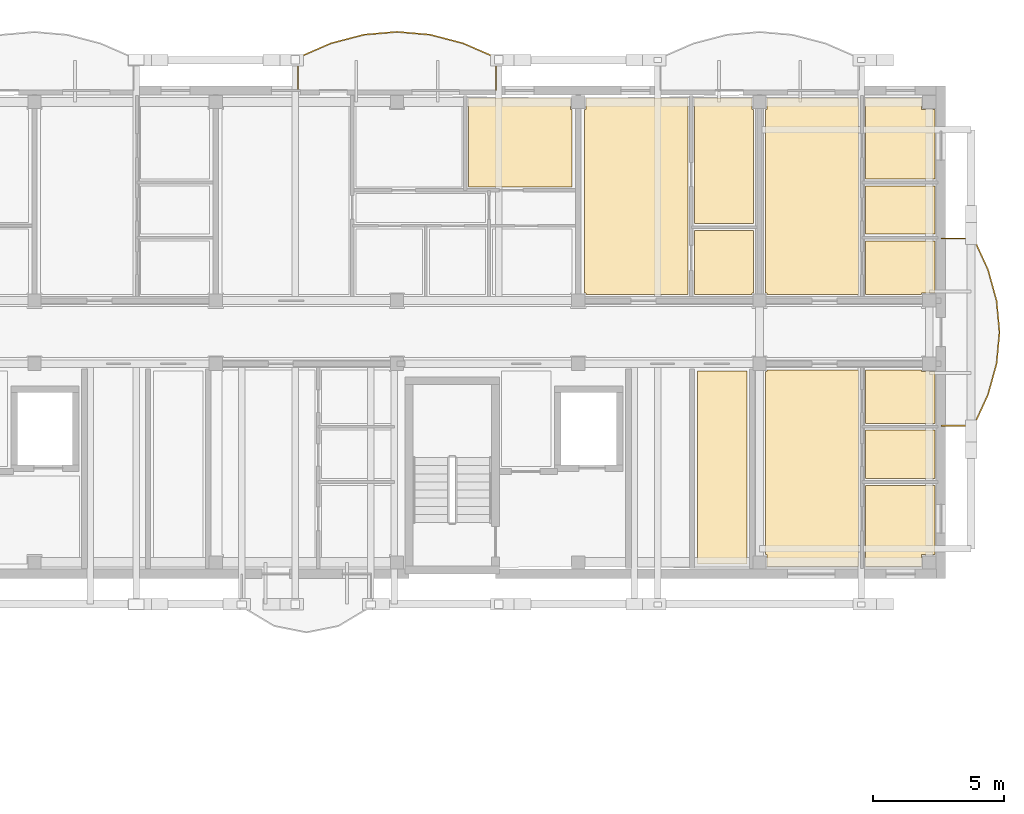
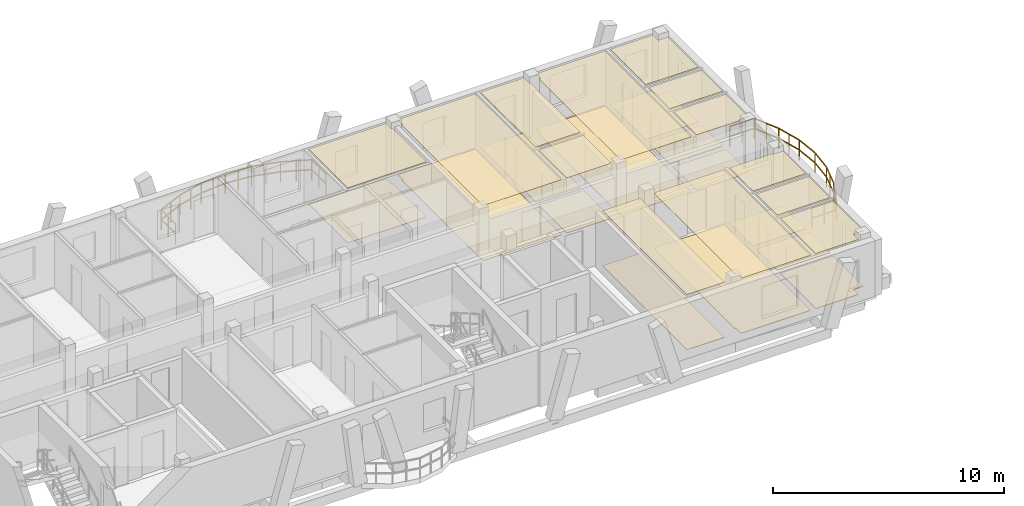
# One storey, part 108 of 109: 26 coverings, 2 railings.
"""IFC4 building model written with IfcOpenShell, lengths in metres."""

import ifcopenshell
import ifcopenshell.guid

model = None  # the IFC model being written
_history = None  # IfcOwnerHistory: only IFC2X3 demands one
_inside = {}  # id of a spatial element -> (the spatial element, [elements in it])
_under = {}  # id of a project, library or spatial element -> (it, [spatial elements below it])
_declared = {}  # id of a project -> (the project, [libraries it declares])
_typed = {}  # id of a type object -> (the type object, [elements of that type])
_made_of = {}  # id of a material, layer set ... -> (it, [elements and type objects made of it])


def new_model(schema):
    """Start an empty IFC model of exactly this schema.

    Asked for "IFC4X3", IfcOpenShell would pick the latest addendum, in which some entities
    have other attributes; the version numbers below select the first issue.
    IFC2X3 requires an IfcOwnerHistory on every rooted entity: one is made here for all.
    """
    global model, _history
    if schema == "IFC4X3":
        model = ifcopenshell.file(schema_version=(4, 3, 0, 0))
    else:
        model = ifcopenshell.file(schema=schema)
    _inside.clear()
    _under.clear()
    _declared.clear()
    _typed.clear()
    _made_of.clear()
    _history = None
    if model.schema == "IFC2X3":
        org = make("IfcOrganization", Name="unknown")
        user = make(
            "IfcPersonAndOrganization",
            ThePerson=make("IfcPerson", FamilyName="unknown"),
            TheOrganization=org,
        )
        app = make(
            "IfcApplication",
            ApplicationDeveloper=org,
            Version="unknown",
            ApplicationFullName="unknown",
            ApplicationIdentifier="unknown",
        )
        _history = make(
            "IfcOwnerHistory",
            OwningUser=user,
            OwningApplication=app,
            ChangeAction="ADDED",
            CreationDate=0,
        )
    return model


def make(cls, **values):
    """One entity of the class cls with the attributes given. An attribute that is None is left unset."""
    return model.create_entity(
        cls, **{name: value for name, value in values.items() if value is not None}
    )


def rooted(cls, **values):
    """An entity with a GlobalId (a new one), such as an element, a storey or a relation."""
    return make(cls, GlobalId=ifcopenshell.guid.new(), OwnerHistory=_history, **values)


def si_unit(unit_type, name, prefix=None):
    """IfcSIUnit, for example si_unit("LENGTHUNIT", "METRE", prefix="MILLI")."""
    return make("IfcSIUnit", UnitType=unit_type, Prefix=prefix, Name=name)


def assignment(units):
    """IfcUnitAssignment: the units of a project."""
    return None if units is None else make("IfcUnitAssignment", Units=units)


def point(xyz):
    """IfcCartesianPoint."""
    return None if xyz is None else make("IfcCartesianPoint", Coordinates=xyz)


def direction(xyz):
    """IfcDirection."""
    return None if xyz is None else make("IfcDirection", DirectionRatios=xyz)


def frame(location, z_axis=None, x_axis=None):
    """IfcAxis2Placement3D, a coordinate frame: its origin and axes. An axis left out is left unset."""
    return make(
        "IfcAxis2Placement3D",
        Location=point(location),
        Axis=direction(z_axis),
        RefDirection=direction(x_axis),
    )


def frame_2d(location, x_axis=None):
    """IfcAxis2Placement2D, a coordinate frame in the plane: its origin and x axis."""
    return make(
        "IfcAxis2Placement2D", Location=point(location), RefDirection=direction(x_axis)
    )


def origin():
    """The frame at (0, 0, 0) with its axes left unset."""
    return frame((0.0, 0.0, 0.0))


def origin_2d():
    """The frame at (0, 0) in the plane with its x axis left unset."""
    return frame_2d((0.0, 0.0))


def place(relative_to, where):
    """IfcLocalPlacement: puts the frame where relative to a parent placement (None: the world)."""
    return make(
        "IfcLocalPlacement", PlacementRelTo=relative_to, RelativePlacement=where
    )


def context(
    kind, dimensions, precision=None, world=None, true_north=None, identifier=None
):
    """IfcGeometricRepresentationContext, for example the 3D "Model" context."""
    return make(
        "IfcGeometricRepresentationContext",
        ContextIdentifier=identifier,
        ContextType=kind,
        CoordinateSpaceDimension=dimensions,
        Precision=precision,
        WorldCoordinateSystem=world,
        TrueNorth=true_north,
    )


def subcontext(parent, identifier, kind, view, scale=None):
    """IfcGeometricRepresentationSubContext, for example "Body" below "Model"."""
    return make(
        "IfcGeometricRepresentationSubContext",
        ContextIdentifier=identifier,
        ContextType=kind,
        ParentContext=parent,
        TargetScale=scale,
        TargetView=view,
    )


def project(units=None, contexts=None):
    """IfcProject with its units and contexts."""
    return rooted(
        "IfcProject",
        Name="project",
        RepresentationContexts=contexts,
        UnitsInContext=assignment(units),
    )


def spatial(cls, under=None, at=None, **own):
    """A site, building, storey or space (cls), placed at a placement, below another one or the project."""
    s = rooted(cls, ObjectPlacement=at, **own)
    if under is not None:
        _under.setdefault(under.id(), (under, []))[1].append(s)
    return s


def polyline(points):
    """IfcPolyline through the points."""
    return make("IfcPolyline", Points=[point(p) for p in points])


def profile(cls, at=None, kind="AREA", **sizes):
    """A parametric profile (cls). Its sizes go by their IFC names, for example OverallWidth=200.0."""
    return make(cls, ProfileType=kind, Position=at, **sizes)


def rectangle(**sizes):
    """IfcRectangleProfileDef."""
    return profile("IfcRectangleProfileDef", **sizes)


def outline(outer, holes=None, kind="AREA"):
    """IfcArbitraryClosedProfileDef: a profile drawn as a closed curve; with holes, ...WithVoids."""
    if holes is None:
        return make("IfcArbitraryClosedProfileDef", ProfileType=kind, OuterCurve=outer)
    return make(
        "IfcArbitraryProfileDefWithVoids",
        ProfileType=kind,
        OuterCurve=outer,
        InnerCurves=holes,
    )


def extrude(swept, where, along, depth):
    """IfcExtrudedAreaSolid: the profile swept, set in the frame where, extruded along a direction by depth."""
    return make(
        "IfcExtrudedAreaSolid",
        SweptArea=swept,
        Position=where,
        ExtrudedDirection=direction(along),
        Depth=depth,
    )


def shape(context_of_items, identifier, shape_type, items):
    """IfcShapeRepresentation: the items that make up one representation, for example the "Body"."""
    return make(
        "IfcShapeRepresentation",
        ContextOfItems=context_of_items,
        RepresentationIdentifier=identifier,
        RepresentationType=shape_type,
        Items=items,
    )


def material(Name=None, Category=None):
    """IfcMaterial."""
    return make("IfcMaterial", Name=Name, Category=Category)


def layer(
    of_material, thickness, ventilated=None, Name=None, Category=None, Priority=None
):
    """IfcMaterialLayer: one layer of a wall or slab, of a material (None: an air gap)."""
    return make(
        "IfcMaterialLayer",
        Material=of_material,
        LayerThickness=thickness,
        IsVentilated=ventilated,
        Name=Name,
        Category=Category,
        Priority=Priority,
    )


def layer_set(layers, Name=None):
    """IfcMaterialLayerSet."""
    return make("IfcMaterialLayerSet", MaterialLayers=layers, LayerSetName=Name)


def made_of(thing, what):
    """Note that an element or type object is made of a material, layer set ...; save() writes the relation."""
    if what is not None:
        _made_of.setdefault(what.id(), (what, []))[1].append(thing)
    return thing


def type_object(cls, material=None, **own):
    """A type object (cls), such as IfcWallType, which elements share."""
    return made_of(rooted(cls, **own), material)


def element(
    cls,
    number,
    at=None,
    inside=None,
    cuts=None,
    type_object=None,
    material=None,
    context=None,
    identifier="Body",
    shape_type=None,
    held_by="IfcProductDefinitionShape",
    body=None,
    shapes=None,
    **own,
):
    """One element of the class cls, such as IfcWall. Its Tag is "e" and its number.

    at: its placement. inside: the storey or other place that contains it. cuts: it is an
    opening in that element (IfcRelVoidsElement). A single representation is given by context,
    identifier, shape_type and body (its items); several are given by shapes. held_by: the class
    of the entity that holds the representations. save() writes the other relations.
    """
    e = rooted(cls, Tag="e%d" % number, ObjectPlacement=at, **own)
    if body is not None:
        shapes = [shape(context, identifier, shape_type, body)]
    if shapes is not None:
        e.Representation = make(held_by, Representations=shapes)
    if inside is not None:
        _inside.setdefault(inside.id(), (inside, []))[1].append(e)
    if cuts is not None:
        rooted(
            "IfcRelVoidsElement", RelatingBuildingElement=cuts, RelatedOpeningElement=e
        )
    if type_object is not None:
        _typed.setdefault(type_object.id(), (type_object, []))[1].append(e)
    return made_of(e, material)


def aggregate(whole, parts):
    """IfcRelAggregates: a whole, such as a stair, and the parts it consists of."""
    return rooted("IfcRelAggregates", RelatingObject=whole, RelatedObjects=parts)


def save(model, path):
    """Write the relations noted so far, then the file.

    IfcRelAggregates (storeys below a building ...), IfcRelContainedInSpatialStructure (elements
    in a storey), IfcRelDefinesByType, IfcRelAssociatesMaterial and IfcRelDeclares: one each for
    every whole, place, type object, material and project.
    """
    for whole, parts in _under.values():
        aggregate(whole, parts)
    for where, things in _inside.values():
        rooted(
            "IfcRelContainedInSpatialStructure",
            RelatedElements=things,
            RelatingStructure=where,
        )
    for kind, things in _typed.values():
        rooted("IfcRelDefinesByType", RelatedObjects=things, RelatingType=kind)
    for what, things in _made_of.values():
        rooted("IfcRelAssociatesMaterial", RelatedObjects=things, RelatingMaterial=what)
    for by, libraries in _declared.values():
        rooted("IfcRelDeclares", RelatingContext=by, RelatedDefinitions=libraries)
    model.write(path)


model = new_model("IFC4")

# Units and contexts
model_context = context("Model", 3, precision=1e-05, world=origin(), true_north=direction((0.0, 1.0)))
body_context = subcontext(model_context, "Body", "Model", "MODEL_VIEW")
ifc_project = project(units=[si_unit("LENGTHUNIT", "METRE"), si_unit("AREAUNIT", "SQUARE_METRE"), si_unit("VOLUMEUNIT", "CUBIC_METRE"), si_unit("PLANEANGLEUNIT", "RADIAN"), si_unit("MASSUNIT", "GRAM", prefix="KILO")], contexts=[model_context])

# Site, building, storey
site_placement = place(None, origin())
site = spatial("IfcSite", under=ifc_project, at=site_placement, CompositionType="ELEMENT")
building_placement = place(site_placement, origin())
building = spatial("IfcBuilding", under=site, at=building_placement, Name="Zavelmont Quarter", CompositionType="ELEMENT")
storey_placement = place(building_placement, frame((0.0, 0.0, 8.0)))
storey = spatial("IfcBuildingStorey", under=building, at=storey_placement, Name="L02", CompositionType="ELEMENT", Elevation=8.0)

# Coverings
ifc_material_1 = material(Name="Perforated acoustic gypsum board")
ifc_layer_1 = layer(ifc_material_1, 0.02490234375)
ifc_layer_set_1 = layer_set([ifc_layer_1], Name="Perforated acoustic gypsum board")
covering_type_1 = type_object("IfcCoveringType", Name="CV-CL01", PredefinedType="CEILING", material=ifc_layer_set_1)
covering_1_placement = place(storey_placement, frame((0.0, 0.0, 2.9150390625)))
element("IfcCovering", 1, at=covering_1_placement, inside=storey, type_object=covering_type_1, Name="L02 Cleaners Store acoustic ceiling", PredefinedType="CEILING", context=body_context, shape_type="SweptSolid", body=[
    extrude(outline(polyline([(158.72998046875, 105.320068359375), (160.6201171875, 105.320068359375), (160.6201171875, 97.97998046875), (158.72998046875, 97.97998046875), (158.72998046875, 105.320068359375)])), origin(), (0.0, 0.0, 1.0), 0.02490234375),
])
covering_2_placement = place(storey_placement, frame((0.0, 0.0, 2.9150390625)))
element("IfcCovering", 2, at=covering_2_placement, inside=storey, type_object=covering_type_1, Name="L02 Double Bedroom acoustic ceiling", PredefinedType="CEILING", context=body_context, shape_type="SweptSolid", body=[
    extrude(outline(polyline([(150.030029296875, 115.719970703125), (153.909912109375, 115.719970703125), (153.909912109375, 115.27001953125), (153.969970703125, 115.27001953125), (153.969970703125, 112.330078125), (150.030029296875, 112.330078125), (150.030029296875, 115.719970703125)])), origin(), (0.0, 0.0, 1.0), 0.02490234375),
])
covering_3_placement = place(storey_placement, frame((0.0, 0.0, 2.9150390625)))
element("IfcCovering", 3, at=covering_3_placement, inside=storey, type_object=covering_type_1, Name="L02 Residents Study Lounge acoustic ceiling", PredefinedType="CEILING", context=body_context, shape_type="SweptSolid", body=[
    extrude(outline(polyline([(154.429931640625, 115.27001953125), (154.489990234375, 115.27001953125), (154.489990234375, 115.719970703125), (158.3701171875, 115.719970703125), (158.3701171875, 108.22998046875), (154.489990234375, 108.22998046875), (154.489990234375, 108.2900390625), (154.429931640625, 108.2900390625), (154.429931640625, 115.27001953125)])), origin(), (0.0, 0.0, 1.0), 0.02490234375),
])
covering_4_placement = place(storey_placement, frame((0.0, 0.0, 2.9150390625)))
element("IfcCovering", 4, at=covering_4_placement, inside=storey, type_object=covering_type_1, Name="L02 Reading Alcove acoustic ceiling", PredefinedType="CEILING", context=body_context, shape_type="SweptSolid", body=[
    extrude(outline(polyline([(158.6298828125, 115.719970703125), (160.81005859375, 115.719970703125), (160.81005859375, 115.27001953125), (160.8701171875, 115.27001953125), (160.8701171875, 110.929931640625), (158.6298828125, 110.929931640625), (158.6298828125, 115.719970703125)])), origin(), (0.0, 0.0, 1.0), 0.02490234375),
])
covering_5_placement = place(storey_placement, frame((0.0, 0.0, 2.9150390625)))
element("IfcCovering", 5, at=covering_5_placement, inside=storey, type_object=covering_type_1, Name="L02 Living Dining acoustic ceiling", PredefinedType="CEILING", context=body_context, shape_type="SweptSolid", body=[
    extrude(outline(polyline([(161.330078125, 115.27001953125), (161.389892578125, 115.27001953125), (161.389892578125, 115.719970703125), (164.8701171875, 115.719970703125), (164.8701171875, 108.22998046875), (161.389892578125, 108.22998046875), (161.389892578125, 108.2900390625), (161.330078125, 108.2900390625), (161.330078125, 115.27001953125)])), origin(), (0.0, 0.0, 1.0), 0.02490234375),
])
covering_6_placement = place(storey_placement, frame((0.0, 0.0, 2.9150390625)))
element("IfcCovering", 6, at=covering_6_placement, inside=storey, type_object=covering_type_1, Name="L02 Kitchen acoustic ceiling", PredefinedType="CEILING", context=body_context, shape_type="SweptSolid", body=[
    extrude(outline(polyline([(165.1298828125, 110.27001953125), (167.77001953125, 110.27001953125), (167.77001953125, 108.2900390625), (167.27001953125, 108.2900390625), (167.27001953125, 108.22998046875), (165.1298828125, 108.22998046875), (165.1298828125, 110.27001953125)])), origin(), (0.0, 0.0, 1.0), 0.02490234375),
])
covering_7_placement = place(storey_placement, frame((0.0, 0.0, 2.9150390625)))
element("IfcCovering", 7, at=covering_7_placement, inside=storey, type_object=covering_type_1, Name="L02 Single Bedroom acoustic ceiling", PredefinedType="CEILING", context=body_context, shape_type="SweptSolid", body=[
    extrude(outline(polyline([(165.1298828125, 115.719970703125), (167.27001953125, 115.719970703125), (167.27001953125, 115.27001953125), (167.77001953125, 115.27001953125), (167.77001953125, 112.6298828125), (165.1298828125, 112.6298828125), (165.1298828125, 115.719970703125)])), origin(), (0.0, 0.0, 1.0), 0.02490234375),
])
covering_8_placement = place(storey_placement, frame((0.0, 0.0, 2.9150390625)))
element("IfcCovering", 8, at=covering_8_placement, inside=storey, type_object=covering_type_1, Name="L02 Living Dining acoustic ceiling", PredefinedType="CEILING", context=body_context, shape_type="SweptSolid", body=[
    extrude(outline(polyline([(161.330078125, 105.31005859375), (161.389892578125, 105.31005859375), (161.389892578125, 105.3701171875), (164.8701171875, 105.3701171875), (164.8701171875, 97.8798828125), (161.389892578125, 97.8798828125), (161.389892578125, 98.330078125), (161.330078125, 98.330078125), (161.330078125, 105.31005859375)])), origin(), (0.0, 0.0, 1.0), 0.02490234375),
])
covering_9_placement = place(storey_placement, frame((0.0, 0.0, 2.9150390625)))
element("IfcCovering", 9, at=covering_9_placement, inside=storey, type_object=covering_type_1, Name="L02 Kitchen acoustic ceiling", PredefinedType="CEILING", context=body_context, shape_type="SweptSolid", body=[
    extrude(outline(polyline([(165.1298828125, 105.3701171875), (167.27001953125, 105.3701171875), (167.27001953125, 105.31005859375), (167.77001953125, 105.31005859375), (167.77001953125, 103.330078125), (165.1298828125, 103.330078125), (165.1298828125, 105.3701171875)])), origin(), (0.0, 0.0, 1.0), 0.02490234375),
])
covering_10_placement = place(storey_placement, frame((0.0, 0.0, 2.9150390625)))
element("IfcCovering", 10, at=covering_10_placement, inside=storey, type_object=covering_type_1, Name="L02 Single Bedroom acoustic ceiling", PredefinedType="CEILING", context=body_context, shape_type="SweptSolid", body=[
    extrude(outline(polyline([(165.1298828125, 100.969970703125), (167.77001953125, 100.969970703125), (167.77001953125, 98.330078125), (167.27001953125, 98.330078125), (167.27001953125, 97.8798828125), (165.1298828125, 97.8798828125), (165.1298828125, 100.969970703125)])), origin(), (0.0, 0.0, 1.0), 0.02490234375),
])
ifc_material_2 = material(Name="Moisture-resistant painted gypsum ceiling")
ifc_layer_2 = layer(ifc_material_2, 0.02001953125)
ifc_layer_set_2 = layer_set([ifc_layer_2], Name="Moisture-resistant painted gypsum ceiling")
covering_type_2 = type_object("IfcCoveringType", Name="CV-CL04", PredefinedType="CEILING", material=ifc_layer_set_2)
covering_11_placement = place(storey_placement, frame((0.0, 0.0, 2.919921875)))
element("IfcCovering", 11, at=covering_11_placement, inside=storey, type_object=covering_type_2, Name="L02 Accessible Toilet acoustic ceiling", PredefinedType="CEILING", context=body_context, shape_type="SweptSolid", body=[
    extrude(outline(polyline([(158.6298828125, 110.669921875), (160.8701171875, 110.669921875), (160.8701171875, 108.2900390625), (160.81005859375, 108.2900390625), (160.81005859375, 108.22998046875), (158.6298828125, 108.22998046875), (158.6298828125, 110.669921875)])), origin(), (0.0, 0.0, 1.0), 0.02001953125),
])
covering_12_placement = place(storey_placement, frame((0.0, 0.0, 2.919921875)))
element("IfcCovering", 12, at=covering_12_placement, inside=storey, type_object=covering_type_2, Name="L02 Bathroom acoustic ceiling", PredefinedType="CEILING", context=body_context, shape_type="SweptSolid", body=[
    extrude(outline(polyline([(165.1298828125, 112.3701171875), (167.77001953125, 112.3701171875), (167.77001953125, 110.530029296875), (165.1298828125, 110.530029296875), (165.1298828125, 112.3701171875)])), origin(), (0.0, 0.0, 1.0), 0.02001953125),
])
covering_13_placement = place(storey_placement, frame((0.0, 0.0, 2.919921875)))
element("IfcCovering", 13, at=covering_13_placement, inside=storey, type_object=covering_type_2, Name="L02 Bathroom acoustic ceiling", PredefinedType="CEILING", context=body_context, shape_type="SweptSolid", body=[
    extrude(outline(polyline([(165.1298828125, 103.070068359375), (167.77001953125, 103.070068359375), (167.77001953125, 101.22998046875), (165.1298828125, 101.22998046875), (165.1298828125, 103.070068359375)])), origin(), (0.0, 0.0, 1.0), 0.02001953125),
])
ifc_material_3 = material(Name="Engineered European oak parquet")
ifc_layer_3 = layer(ifc_material_3, 0.02197265625)
ifc_layer_set_3 = layer_set([ifc_layer_3], Name="Engineered European oak parquet")
covering_type_3 = type_object("IfcCoveringType", Name="CV-FL01", PredefinedType="FLOORING", material=ifc_layer_set_3)
covering_14_placement = place(storey_placement, origin())
element("IfcCovering", 14, at=covering_14_placement, inside=storey, type_object=covering_type_3, Name="L02 Cleaners Store floor finish", PredefinedType="FLOORING", context=body_context, shape_type="SweptSolid", body=[
    extrude(outline(polyline([(158.72998046875, 105.320068359375), (160.6201171875, 105.320068359375), (160.6201171875, 97.97998046875), (158.72998046875, 97.97998046875), (158.72998046875, 105.320068359375)])), origin(), (0.0, 0.0, 1.0), 0.02197265625),
])
covering_15_placement = place(storey_placement, origin())
element("IfcCovering", 15, at=covering_15_placement, inside=storey, type_object=covering_type_3, Name="L02 Double Bedroom floor finish", PredefinedType="FLOORING", context=body_context, shape_type="SweptSolid", body=[
    extrude(outline(polyline([(150.030029296875, 115.719970703125), (153.909912109375, 115.719970703125), (153.909912109375, 115.27001953125), (153.969970703125, 115.27001953125), (153.969970703125, 112.330078125), (150.030029296875, 112.330078125), (150.030029296875, 115.719970703125)])), origin(), (0.0, 0.0, 1.0), 0.02197265625),
])
covering_16_placement = place(storey_placement, origin())
element("IfcCovering", 16, at=covering_16_placement, inside=storey, type_object=covering_type_3, Name="L02 Residents Study Lounge floor finish", PredefinedType="FLOORING", context=body_context, shape_type="SweptSolid", body=[
    extrude(outline(polyline([(154.429931640625, 115.27001953125), (154.489990234375, 115.27001953125), (154.489990234375, 115.719970703125), (158.3701171875, 115.719970703125), (158.3701171875, 108.22998046875), (154.489990234375, 108.22998046875), (154.489990234375, 108.2900390625), (154.429931640625, 108.2900390625), (154.429931640625, 115.27001953125)])), origin(), (0.0, 0.0, 1.0), 0.02197265625),
])
covering_17_placement = place(storey_placement, origin())
element("IfcCovering", 17, at=covering_17_placement, inside=storey, type_object=covering_type_3, Name="L02 Reading Alcove floor finish", PredefinedType="FLOORING", context=body_context, shape_type="SweptSolid", body=[
    extrude(outline(polyline([(158.6298828125, 115.719970703125), (160.81005859375, 115.719970703125), (160.81005859375, 115.27001953125), (160.8701171875, 115.27001953125), (160.8701171875, 110.929931640625), (158.6298828125, 110.929931640625), (158.6298828125, 115.719970703125)])), origin(), (0.0, 0.0, 1.0), 0.02197265625),
])
covering_18_placement = place(storey_placement, origin())
element("IfcCovering", 18, at=covering_18_placement, inside=storey, type_object=covering_type_3, Name="L02 Living Dining floor finish", PredefinedType="FLOORING", context=body_context, shape_type="SweptSolid", body=[
    extrude(outline(polyline([(161.330078125, 115.27001953125), (161.389892578125, 115.27001953125), (161.389892578125, 115.719970703125), (164.8701171875, 115.719970703125), (164.8701171875, 108.22998046875), (161.389892578125, 108.22998046875), (161.389892578125, 108.2900390625), (161.330078125, 108.2900390625), (161.330078125, 115.27001953125)])), origin(), (0.0, 0.0, 1.0), 0.02197265625),
])
covering_19_placement = place(storey_placement, origin())
element("IfcCovering", 19, at=covering_19_placement, inside=storey, type_object=covering_type_3, Name="L02 Kitchen floor finish", PredefinedType="FLOORING", context=body_context, shape_type="SweptSolid", body=[
    extrude(outline(polyline([(165.1298828125, 110.27001953125), (167.77001953125, 110.27001953125), (167.77001953125, 108.2900390625), (167.27001953125, 108.2900390625), (167.27001953125, 108.22998046875), (165.1298828125, 108.22998046875), (165.1298828125, 110.27001953125)])), origin(), (0.0, 0.0, 1.0), 0.02197265625),
])
covering_20_placement = place(storey_placement, origin())
element("IfcCovering", 20, at=covering_20_placement, inside=storey, type_object=covering_type_3, Name="L02 Single Bedroom floor finish", PredefinedType="FLOORING", context=body_context, shape_type="SweptSolid", body=[
    extrude(outline(polyline([(165.1298828125, 115.719970703125), (167.27001953125, 115.719970703125), (167.27001953125, 115.27001953125), (167.77001953125, 115.27001953125), (167.77001953125, 112.6298828125), (165.1298828125, 112.6298828125), (165.1298828125, 115.719970703125)])), origin(), (0.0, 0.0, 1.0), 0.02197265625),
])
covering_21_placement = place(storey_placement, origin())
element("IfcCovering", 21, at=covering_21_placement, inside=storey, type_object=covering_type_3, Name="L02 Living Dining floor finish", PredefinedType="FLOORING", context=body_context, shape_type="SweptSolid", body=[
    extrude(outline(polyline([(161.330078125, 105.31005859375), (161.389892578125, 105.31005859375), (161.389892578125, 105.3701171875), (164.8701171875, 105.3701171875), (164.8701171875, 97.8798828125), (161.389892578125, 97.8798828125), (161.389892578125, 98.330078125), (161.330078125, 98.330078125), (161.330078125, 105.31005859375)])), origin(), (0.0, 0.0, 1.0), 0.02197265625),
])
covering_22_placement = place(storey_placement, origin())
element("IfcCovering", 22, at=covering_22_placement, inside=storey, type_object=covering_type_3, Name="L02 Kitchen floor finish", PredefinedType="FLOORING", context=body_context, shape_type="SweptSolid", body=[
    extrude(outline(polyline([(165.1298828125, 105.3701171875), (167.27001953125, 105.3701171875), (167.27001953125, 105.31005859375), (167.77001953125, 105.31005859375), (167.77001953125, 103.330078125), (165.1298828125, 103.330078125), (165.1298828125, 105.3701171875)])), origin(), (0.0, 0.0, 1.0), 0.02197265625),
])
covering_23_placement = place(storey_placement, origin())
element("IfcCovering", 23, at=covering_23_placement, inside=storey, type_object=covering_type_3, Name="L02 Single Bedroom floor finish", PredefinedType="FLOORING", context=body_context, shape_type="SweptSolid", body=[
    extrude(outline(polyline([(165.1298828125, 100.969970703125), (167.77001953125, 100.969970703125), (167.77001953125, 98.330078125), (167.27001953125, 98.330078125), (167.27001953125, 97.8798828125), (165.1298828125, 97.8798828125), (165.1298828125, 100.969970703125)])), origin(), (0.0, 0.0, 1.0), 0.02197265625),
])
ifc_material_4 = material(Name="Slip-resistant porcelain tile")
ifc_layer_4 = layer(ifc_material_4, 0.02587890625)
ifc_layer_set_4 = layer_set([ifc_layer_4], Name="Slip-resistant porcelain tile")
covering_type_4 = type_object("IfcCoveringType", Name="CV-FL04", PredefinedType="FLOORING", material=ifc_layer_set_4)
covering_24_placement = place(storey_placement, origin())
element("IfcCovering", 24, at=covering_24_placement, inside=storey, type_object=covering_type_4, Name="L02 Accessible Toilet floor finish", PredefinedType="FLOORING", context=body_context, shape_type="SweptSolid", body=[
    extrude(outline(polyline([(158.6298828125, 110.669921875), (160.8701171875, 110.669921875), (160.8701171875, 108.2900390625), (160.81005859375, 108.2900390625), (160.81005859375, 108.22998046875), (158.6298828125, 108.22998046875), (158.6298828125, 110.669921875)])), origin(), (0.0, 0.0, 1.0), 0.02587890625),
])
covering_25_placement = place(storey_placement, origin())
element("IfcCovering", 25, at=covering_25_placement, inside=storey, type_object=covering_type_4, Name="L02 Bathroom floor finish", PredefinedType="FLOORING", context=body_context, shape_type="SweptSolid", body=[
    extrude(outline(polyline([(165.1298828125, 112.3701171875), (167.77001953125, 112.3701171875), (167.77001953125, 110.530029296875), (165.1298828125, 110.530029296875), (165.1298828125, 112.3701171875)])), origin(), (0.0, 0.0, 1.0), 0.02587890625),
])
covering_26_placement = place(storey_placement, origin())
element("IfcCovering", 26, at=covering_26_placement, inside=storey, type_object=covering_type_4, Name="L02 Bathroom floor finish", PredefinedType="FLOORING", context=body_context, shape_type="SweptSolid", body=[
    extrude(outline(polyline([(165.1298828125, 103.070068359375), (167.77001953125, 103.070068359375), (167.77001953125, 101.22998046875), (165.1298828125, 101.22998046875), (165.1298828125, 103.070068359375)])), origin(), (0.0, 0.0, 1.0), 0.02587890625),
])

# Railings
ifc_material_5 = material(Name="Powder-coated steel and tempered double safety glass", Category="steel")
railing_type = type_object("IfcRailingType", Name="RL-BAL1", PredefinedType="BALUSTRADE", material=ifc_material_5)
railing_1_placement = place(storey_placement, frame((151.07080078125, 116.02001953125, 0.0)))
element("IfcRailing", 27, at=railing_1_placement, inside=storey, type_object=railing_type, Name="L02 Block C curved balcony guard RL-BAL1", PredefinedType="BALUSTRADE", context=body_context, shape_type="SweptSolid", body=[
    extrude(rectangle(XDim=0.048095703125, YDim=0.048095703125, at=origin_2d()), frame((0.0, 0.0, 1.076171875), z_axis=(0.0, 1.0, 0.0), x_axis=(-1.0, 0.0, 0.0)), (0.0, 0.0, 1.0), 1.23095703125),
    extrude(rectangle(XDim=0.048095703125, YDim=0.048095703125, at=origin_2d()), frame((0.0, 0.0, 0.550048828125), z_axis=(0.0, 1.0, 0.0), x_axis=(-1.0, 0.0, 0.0)), (0.0, 0.0, 1.0), 1.23095703125),
    extrude(rectangle(XDim=0.048095703125, YDim=0.048095703125, at=origin_2d()), frame((0.0, 1.23095703125, 1.076171875), z_axis=(-0.917152175946, 0.398537182904, 0.0), x_axis=(-0.398537182904, -0.917152175946, 0.0)), (0.0, 0.0, 1.0), 1.370361328125),
    extrude(rectangle(XDim=0.048095703125, YDim=0.048095703125, at=origin_2d()), frame((0.0, 1.23095703125, 0.550048828125), z_axis=(-0.917152175946, 0.398537182904, 0.0), x_axis=(-0.398537182904, -0.917152175946, 0.0)), (0.0, 0.0, 1.0), 1.370361328125),
    extrude(rectangle(XDim=0.048095703125, YDim=0.048095703125, at=origin_2d()), frame((-1.2568359375, 1.777099609375, 1.076171875), z_axis=(-0.967673130002, 0.252207679251, 0.0), x_axis=(-0.252207679251, -0.967673130002, 0.0)), (0.0, 0.0, 1.0), 1.299072265625),
    extrude(rectangle(XDim=0.048095703125, YDim=0.048095703125, at=origin_2d()), frame((-1.2568359375, 1.777099609375, 0.550048828125), z_axis=(-0.967673130002, 0.252207679251, 0.0), x_axis=(-0.252207679251, -0.967673130002, 0.0)), (0.0, 0.0, 1.0), 1.299072265625),
    extrude(rectangle(XDim=0.048095703125, YDim=0.048095703125, at=origin_2d()), frame((-2.513916015625, 2.104736328125, 1.076171875), z_axis=(-0.996251472743, 0.08650435282, 0.0), x_axis=(-0.08650435282, -0.996251472743, 0.0)), (0.0, 0.0, 1.0), 1.261474609375),
    extrude(rectangle(XDim=0.048095703125, YDim=0.048095703125, at=origin_2d()), frame((-2.513916015625, 2.104736328125, 0.550048828125), z_axis=(-0.996251472743, 0.08650435282, 0.0), x_axis=(-0.08650435282, -0.996251472743, 0.0)), (0.0, 0.0, 1.0), 1.261474609375),
    extrude(rectangle(XDim=0.048095703125, YDim=0.048095703125, at=origin_2d()), frame((-3.770751953125, 2.2138671875, 1.076171875), z_axis=(-0.996251472743, -0.08650435282, 0.0), x_axis=(0.08650435282, -0.996251472743, 0.0)), (0.0, 0.0, 1.0), 1.261474609375),
    extrude(rectangle(XDim=0.048095703125, YDim=0.048095703125, at=origin_2d()), frame((-3.770751953125, 2.2138671875, 0.550048828125), z_axis=(-0.996251472743, -0.08650435282, 0.0), x_axis=(0.08650435282, -0.996251472743, 0.0)), (0.0, 0.0, 1.0), 1.261474609375),
    extrude(rectangle(XDim=0.048095703125, YDim=0.048095703125, at=origin_2d()), frame((-5.027587890625, 2.104736328125, 1.076171875), z_axis=(-0.967673130002, -0.252207679251, 0.0), x_axis=(0.252207679251, -0.967673130002, 0.0)), (0.0, 0.0, 1.0), 1.299072265625),
    extrude(rectangle(XDim=0.048095703125, YDim=0.048095703125, at=origin_2d()), frame((-5.027587890625, 2.104736328125, 0.550048828125), z_axis=(-0.967673130002, -0.252207679251, 0.0), x_axis=(0.252207679251, -0.967673130002, 0.0)), (0.0, 0.0, 1.0), 1.299072265625),
    extrude(rectangle(XDim=0.048095703125, YDim=0.048095703125, at=origin_2d()), frame((-6.28466796875, 1.777099609375, 1.076171875), z_axis=(-0.917152175946, -0.398537182904, 0.0), x_axis=(0.398537182904, -0.917152175946, 0.0)), (0.0, 0.0, 1.0), 1.370361328125),
    extrude(rectangle(XDim=0.048095703125, YDim=0.048095703125, at=origin_2d()), frame((-6.28466796875, 1.777099609375, 0.550048828125), z_axis=(-0.917152175946, -0.398537182904, 0.0), x_axis=(0.398537182904, -0.917152175946, 0.0)), (0.0, 0.0, 1.0), 1.370361328125),
    extrude(rectangle(XDim=0.048095703125, YDim=0.048095703125, at=origin_2d()), frame((-7.54150390625, 1.23095703125, 1.076171875), z_axis=(0.0, -1.0, 0.0), x_axis=(1.0, 0.0, 0.0)), (0.0, 0.0, 1.0), 1.23095703125),
    extrude(rectangle(XDim=0.048095703125, YDim=0.048095703125, at=origin_2d()), frame((-7.54150390625, 1.23095703125, 0.550048828125), z_axis=(0.0, -1.0, 0.0), x_axis=(1.0, 0.0, 0.0)), (0.0, 0.0, 1.0), 1.23095703125),
    extrude(rectangle(XDim=0.0419921875, YDim=0.0419921875, at=origin_2d()), origin(), (0.0, 0.0, 1.0), 1.052001953125),
    extrude(rectangle(XDim=0.0419921875, YDim=0.0419921875, at=origin_2d()), frame((0.0, 0.615478515625, 0.0)), (0.0, 0.0, 1.0), 1.052001953125),
    extrude(rectangle(XDim=0.0419921875, YDim=0.0419921875, at=origin_2d()), frame((0.0, 1.23095703125, 0.0)), (0.0, 0.0, 1.0), 1.052001953125),
    extrude(rectangle(XDim=0.0419921875, YDim=0.0419921875, at=origin_2d()), frame((-0.62841796875, 1.50390625, 0.0)), (0.0, 0.0, 1.0), 1.052001953125),
    extrude(rectangle(XDim=0.0419921875, YDim=0.0419921875, at=origin_2d()), frame((-1.2568359375, 1.777099609375, 0.0)), (0.0, 0.0, 1.0), 1.052001953125),
    extrude(rectangle(XDim=0.0419921875, YDim=0.0419921875, at=origin_2d()), frame((-1.88525390625, 1.94091796875, 0.0)), (0.0, 0.0, 1.0), 1.052001953125),
    extrude(rectangle(XDim=0.0419921875, YDim=0.0419921875, at=origin_2d()), frame((-2.513916015625, 2.104736328125, 0.0)), (0.0, 0.0, 1.0), 1.052001953125),
    extrude(rectangle(XDim=0.0419921875, YDim=0.0419921875, at=origin_2d()), frame((-3.142333984375, 2.1591796875, 0.0)), (0.0, 0.0, 1.0), 1.052001953125),
    extrude(rectangle(XDim=0.0419921875, YDim=0.0419921875, at=origin_2d()), frame((-3.770751953125, 2.2138671875, 0.0)), (0.0, 0.0, 1.0), 1.052001953125),
    extrude(rectangle(XDim=0.0419921875, YDim=0.0419921875, at=origin_2d()), frame((-4.399169921875, 2.1591796875, 0.0)), (0.0, 0.0, 1.0), 1.052001953125),
    extrude(rectangle(XDim=0.0419921875, YDim=0.0419921875, at=origin_2d()), frame((-5.027587890625, 2.104736328125, 0.0)), (0.0, 0.0, 1.0), 1.052001953125),
    extrude(rectangle(XDim=0.0419921875, YDim=0.0419921875, at=origin_2d()), frame((-5.65625, 1.94091796875, 0.0)), (0.0, 0.0, 1.0), 1.052001953125),
    extrude(rectangle(XDim=0.0419921875, YDim=0.0419921875, at=origin_2d()), frame((-6.28466796875, 1.777099609375, 0.0)), (0.0, 0.0, 1.0), 1.052001953125),
    extrude(rectangle(XDim=0.0419921875, YDim=0.0419921875, at=origin_2d()), frame((-6.9130859375, 1.50390625, 0.0)), (0.0, 0.0, 1.0), 1.052001953125),
    extrude(rectangle(XDim=0.0419921875, YDim=0.0419921875, at=origin_2d()), frame((-7.54150390625, 1.23095703125, 0.0)), (0.0, 0.0, 1.0), 1.052001953125),
    extrude(rectangle(XDim=0.0419921875, YDim=0.0419921875, at=origin_2d()), frame((-7.54150390625, 0.615478515625, 0.0)), (0.0, 0.0, 1.0), 1.052001953125),
    extrude(rectangle(XDim=0.0419921875, YDim=0.0419921875, at=origin_2d()), frame((-7.54150390625, 0.0, 0.0)), (0.0, 0.0, 1.0), 1.052001953125),
])
railing_2_placement = place(storey_placement, frame((168.02001953125, 103.235595703125, 0.0)))
element("IfcRailing", 28, at=railing_2_placement, inside=storey, type_object=railing_type, Name="L02 Block C curved balcony guard RL-BAL1", PredefinedType="BALUSTRADE", context=body_context, shape_type="SweptSolid", body=[
    extrude(rectangle(XDim=0.048095703125, YDim=0.048095703125, at=origin_2d()), frame((0.0, 0.0, 1.076171875), z_axis=(1.0, 0.0, 0.0), x_axis=(0.0, 1.0, 0.0)), (0.0, 0.0, 1.0), 1.23095703125),
    extrude(rectangle(XDim=0.048095703125, YDim=0.048095703125, at=origin_2d()), frame((0.0, 0.0, 0.550048828125), z_axis=(1.0, 0.0, 0.0), x_axis=(0.0, 1.0, 0.0)), (0.0, 0.0, 1.0), 1.23095703125),
    extrude(rectangle(XDim=0.048095703125, YDim=0.048095703125, at=origin_2d()), frame((1.23095703125, 0.0, 1.076171875), z_axis=(0.417625152953, 0.908619409666, 0.0), x_axis=(-0.908619409666, 0.417625152953, 0.0)), (0.0, 0.0, 1.0), 1.3076171875),
    extrude(rectangle(XDim=0.048095703125, YDim=0.048095703125, at=origin_2d()), frame((1.23095703125, 0.0, 0.550048828125), z_axis=(0.417625152953, 0.908619409666, 0.0), x_axis=(-0.908619409666, 0.417625152953, 0.0)), (0.0, 0.0, 1.0), 1.3076171875),
    extrude(rectangle(XDim=0.048095703125, YDim=0.048095703125, at=origin_2d()), frame((1.777099609375, 1.188232421875, 1.076171875), z_axis=(0.265865514334, 0.964010128727, 0.0), x_axis=(-0.964010128727, 0.265865514334, 0.0)), (0.0, 0.0, 1.0), 1.232421875),
    extrude(rectangle(XDim=0.048095703125, YDim=0.048095703125, at=origin_2d()), frame((1.777099609375, 1.188232421875, 0.550048828125), z_axis=(0.265865514334, 0.964010128727, 0.0), x_axis=(-0.964010128727, 0.265865514334, 0.0)), (0.0, 0.0, 1.0), 1.232421875),
    extrude(rectangle(XDim=0.048095703125, YDim=0.048095703125, at=origin_2d()), frame((2.104736328125, 2.376220703125, 1.076171875), z_axis=(0.091458103456, 0.995808925102, 0.0), x_axis=(-0.995808925102, 0.091458103456, 0.0)), (0.0, 0.0, 1.0), 1.193115234375),
    extrude(rectangle(XDim=0.048095703125, YDim=0.048095703125, at=origin_2d()), frame((2.104736328125, 2.376220703125, 0.550048828125), z_axis=(0.091458103456, 0.995808925102, 0.0), x_axis=(-0.995808925102, 0.091458103456, 0.0)), (0.0, 0.0, 1.0), 1.193115234375),
    extrude(rectangle(XDim=0.048095703125, YDim=0.048095703125, at=origin_2d()), frame((2.2138671875, 3.564453125, 1.076171875), z_axis=(-0.091476741528, 0.995807213149, 0.0), x_axis=(-0.995807213149, -0.091476741528, 0.0)), (0.0, 0.0, 1.0), 1.19287109375),
    extrude(rectangle(XDim=0.048095703125, YDim=0.048095703125, at=origin_2d()), frame((2.2138671875, 3.564453125, 0.550048828125), z_axis=(-0.091476741528, 0.995807213149, 0.0), x_axis=(-0.995807213149, -0.091476741528, 0.0)), (0.0, 0.0, 1.0), 1.19287109375),
    extrude(rectangle(XDim=0.048095703125, YDim=0.048095703125, at=origin_2d()), frame((2.104736328125, 4.75244140625, 1.076171875), z_axis=(-0.265814748291, 0.964024128117, 0.0), x_axis=(-0.964024128117, -0.265814748291, 0.0)), (0.0, 0.0, 1.0), 1.232666015625),
    extrude(rectangle(XDim=0.048095703125, YDim=0.048095703125, at=origin_2d()), frame((2.104736328125, 4.75244140625, 0.550048828125), z_axis=(-0.265814748291, 0.964024128117, 0.0), x_axis=(-0.964024128117, -0.265814748291, 0.0)), (0.0, 0.0, 1.0), 1.232666015625),
    extrude(rectangle(XDim=0.048095703125, YDim=0.048095703125, at=origin_2d()), frame((1.777099609375, 5.940673828125, 1.076171875), z_axis=(-0.417696005458, 0.908586840662, 0.0), x_axis=(-0.908586840662, -0.417696005458, 0.0)), (0.0, 0.0, 1.0), 1.3076171875),
    extrude(rectangle(XDim=0.048095703125, YDim=0.048095703125, at=origin_2d()), frame((1.777099609375, 5.940673828125, 0.550048828125), z_axis=(-0.417696005458, 0.908586840662, 0.0), x_axis=(-0.908586840662, -0.417696005458, 0.0)), (0.0, 0.0, 1.0), 1.3076171875),
    extrude(rectangle(XDim=0.048095703125, YDim=0.048095703125, at=origin_2d()), frame((1.23095703125, 7.128662109375, 1.076171875), z_axis=(-1.0, 0.0, 0.0), x_axis=(0.0, -1.0, 0.0)), (0.0, 0.0, 1.0), 1.23095703125),
    extrude(rectangle(XDim=0.048095703125, YDim=0.048095703125, at=origin_2d()), frame((1.23095703125, 7.128662109375, 0.550048828125), z_axis=(-1.0, 0.0, 0.0), x_axis=(0.0, -1.0, 0.0)), (0.0, 0.0, 1.0), 1.23095703125),
    extrude(rectangle(XDim=0.0419921875, YDim=0.0419921875, at=origin_2d()), origin(), (0.0, 0.0, 1.0), 1.052001953125),
    extrude(rectangle(XDim=0.0419921875, YDim=0.0419921875, at=origin_2d()), frame((0.615478515625, 0.0, 0.0)), (0.0, 0.0, 1.0), 1.052001953125),
    extrude(rectangle(XDim=0.0419921875, YDim=0.0419921875, at=origin_2d()), frame((1.23095703125, 0.0, 0.0)), (0.0, 0.0, 1.0), 1.052001953125),
    extrude(rectangle(XDim=0.0419921875, YDim=0.0419921875, at=origin_2d()), frame((1.50390625, 0.59423828125, 0.0)), (0.0, 0.0, 1.0), 1.052001953125),
    extrude(rectangle(XDim=0.0419921875, YDim=0.0419921875, at=origin_2d()), frame((1.777099609375, 1.188232421875, 0.0)), (0.0, 0.0, 1.0), 1.052001953125),
    extrude(rectangle(XDim=0.0419921875, YDim=0.0419921875, at=origin_2d()), frame((1.94091796875, 1.7822265625, 0.0)), (0.0, 0.0, 1.0), 1.052001953125),
    extrude(rectangle(XDim=0.0419921875, YDim=0.0419921875, at=origin_2d()), frame((2.104736328125, 2.376220703125, 0.0)), (0.0, 0.0, 1.0), 1.052001953125),
    extrude(rectangle(XDim=0.0419921875, YDim=0.0419921875, at=origin_2d()), frame((2.2138671875, 3.564453125, 0.0)), (0.0, 0.0, 1.0), 1.052001953125),
    extrude(rectangle(XDim=0.0419921875, YDim=0.0419921875, at=origin_2d()), frame((2.104736328125, 4.75244140625, 0.0)), (0.0, 0.0, 1.0), 1.052001953125),
    extrude(rectangle(XDim=0.0419921875, YDim=0.0419921875, at=origin_2d()), frame((1.94091796875, 5.3466796875, 0.0)), (0.0, 0.0, 1.0), 1.052001953125),
    extrude(rectangle(XDim=0.0419921875, YDim=0.0419921875, at=origin_2d()), frame((1.777099609375, 5.940673828125, 0.0)), (0.0, 0.0, 1.0), 1.052001953125),
    extrude(rectangle(XDim=0.0419921875, YDim=0.0419921875, at=origin_2d()), frame((1.50390625, 6.53466796875, 0.0)), (0.0, 0.0, 1.0), 1.052001953125),
    extrude(rectangle(XDim=0.0419921875, YDim=0.0419921875, at=origin_2d()), frame((1.23095703125, 7.128662109375, 0.0)), (0.0, 0.0, 1.0), 1.052001953125),
    extrude(rectangle(XDim=0.0419921875, YDim=0.0419921875, at=origin_2d()), frame((0.615478515625, 7.128662109375, 0.0)), (0.0, 0.0, 1.0), 1.052001953125),
    extrude(rectangle(XDim=0.0419921875, YDim=0.0419921875, at=origin_2d()), frame((0.0, 7.128662109375, 0.0)), (0.0, 0.0, 1.0), 1.052001953125),
])

save(model, "model.ifc")
